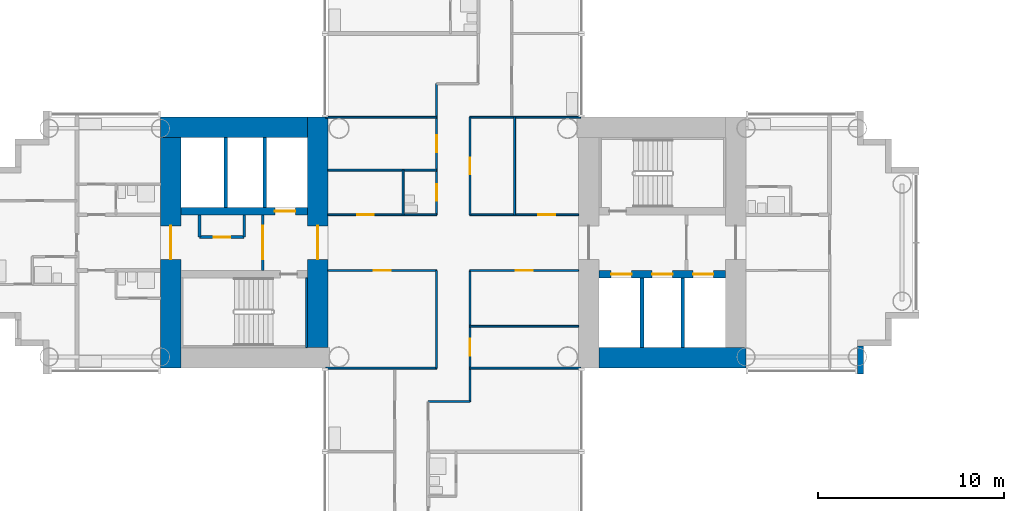
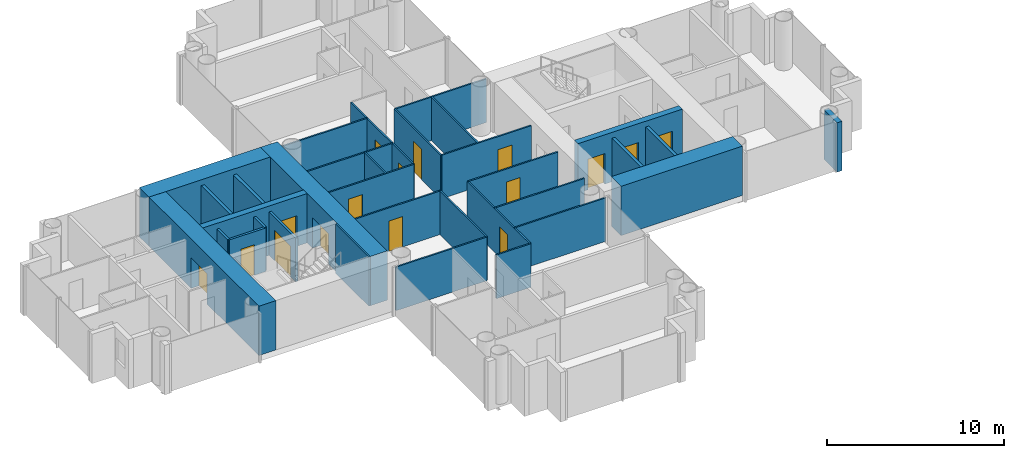
# One storey, part 10 of 22: 33 walls, 16 doors, 16 openings.
"""IFC4 building model written with IfcOpenShell, lengths in metres."""

import ifcopenshell
import ifcopenshell.guid

model = None  # the IFC model being written
_history = None  # IfcOwnerHistory: only IFC2X3 demands one
_inside = {}  # id of a spatial element -> (the spatial element, [elements in it])
_under = {}  # id of a project, library or spatial element -> (it, [spatial elements below it])
_declared = {}  # id of a project -> (the project, [libraries it declares])
_typed = {}  # id of a type object -> (the type object, [elements of that type])
_made_of = {}  # id of a material, layer set ... -> (it, [elements and type objects made of it])


def new_model(schema):
    """Start an empty IFC model of exactly this schema.

    Asked for "IFC4X3", IfcOpenShell would pick the latest addendum, in which some entities
    have other attributes; the version numbers below select the first issue.
    IFC2X3 requires an IfcOwnerHistory on every rooted entity: one is made here for all.
    """
    global model, _history
    if schema == "IFC4X3":
        model = ifcopenshell.file(schema_version=(4, 3, 0, 0))
    else:
        model = ifcopenshell.file(schema=schema)
    _inside.clear()
    _under.clear()
    _declared.clear()
    _typed.clear()
    _made_of.clear()
    _history = None
    if model.schema == "IFC2X3":
        org = make("IfcOrganization", Name="unknown")
        user = make(
            "IfcPersonAndOrganization",
            ThePerson=make("IfcPerson", FamilyName="unknown"),
            TheOrganization=org,
        )
        app = make(
            "IfcApplication",
            ApplicationDeveloper=org,
            Version="unknown",
            ApplicationFullName="unknown",
            ApplicationIdentifier="unknown",
        )
        _history = make(
            "IfcOwnerHistory",
            OwningUser=user,
            OwningApplication=app,
            ChangeAction="ADDED",
            CreationDate=0,
        )
    return model


def make(cls, **values):
    """One entity of the class cls with the attributes given. An attribute that is None is left unset."""
    return model.create_entity(
        cls, **{name: value for name, value in values.items() if value is not None}
    )


def rooted(cls, **values):
    """An entity with a GlobalId (a new one), such as an element, a storey or a relation."""
    return make(cls, GlobalId=ifcopenshell.guid.new(), OwnerHistory=_history, **values)


def si_unit(unit_type, name, prefix=None):
    """IfcSIUnit, for example si_unit("LENGTHUNIT", "METRE", prefix="MILLI")."""
    return make("IfcSIUnit", UnitType=unit_type, Prefix=prefix, Name=name)


def assignment(units):
    """IfcUnitAssignment: the units of a project."""
    return None if units is None else make("IfcUnitAssignment", Units=units)


def point(xyz):
    """IfcCartesianPoint."""
    return None if xyz is None else make("IfcCartesianPoint", Coordinates=xyz)


def direction(xyz):
    """IfcDirection."""
    return None if xyz is None else make("IfcDirection", DirectionRatios=xyz)


def frame(location, z_axis=None, x_axis=None):
    """IfcAxis2Placement3D, a coordinate frame: its origin and axes. An axis left out is left unset."""
    return make(
        "IfcAxis2Placement3D",
        Location=point(location),
        Axis=direction(z_axis),
        RefDirection=direction(x_axis),
    )


def frame_2d(location, x_axis=None):
    """IfcAxis2Placement2D, a coordinate frame in the plane: its origin and x axis."""
    return make(
        "IfcAxis2Placement2D", Location=point(location), RefDirection=direction(x_axis)
    )


def origin():
    """The frame at (0, 0, 0) with its axes left unset."""
    return frame((0.0, 0.0, 0.0))


def place(relative_to, where):
    """IfcLocalPlacement: puts the frame where relative to a parent placement (None: the world)."""
    return make(
        "IfcLocalPlacement", PlacementRelTo=relative_to, RelativePlacement=where
    )


def context(
    kind, dimensions, precision=None, world=None, true_north=None, identifier=None
):
    """IfcGeometricRepresentationContext, for example the 3D "Model" context."""
    return make(
        "IfcGeometricRepresentationContext",
        ContextIdentifier=identifier,
        ContextType=kind,
        CoordinateSpaceDimension=dimensions,
        Precision=precision,
        WorldCoordinateSystem=world,
        TrueNorth=true_north,
    )


def subcontext(parent, identifier, kind, view, scale=None):
    """IfcGeometricRepresentationSubContext, for example "Body" below "Model"."""
    return make(
        "IfcGeometricRepresentationSubContext",
        ContextIdentifier=identifier,
        ContextType=kind,
        ParentContext=parent,
        TargetScale=scale,
        TargetView=view,
    )


def project(units=None, contexts=None):
    """IfcProject with its units and contexts."""
    return rooted(
        "IfcProject",
        Name="project",
        RepresentationContexts=contexts,
        UnitsInContext=assignment(units),
    )


def spatial(cls, under=None, at=None, **own):
    """A site, building, storey or space (cls), placed at a placement, below another one or the project."""
    s = rooted(cls, ObjectPlacement=at, **own)
    if under is not None:
        _under.setdefault(under.id(), (under, []))[1].append(s)
    return s


def profile(cls, at=None, kind="AREA", **sizes):
    """A parametric profile (cls). Its sizes go by their IFC names, for example OverallWidth=200.0."""
    return make(cls, ProfileType=kind, Position=at, **sizes)


def rectangle(**sizes):
    """IfcRectangleProfileDef."""
    return profile("IfcRectangleProfileDef", **sizes)


def extrude(swept, where, along, depth):
    """IfcExtrudedAreaSolid: the profile swept, set in the frame where, extruded along a direction by depth."""
    return make(
        "IfcExtrudedAreaSolid",
        SweptArea=swept,
        Position=where,
        ExtrudedDirection=direction(along),
        Depth=depth,
    )


def shape(context_of_items, identifier, shape_type, items):
    """IfcShapeRepresentation: the items that make up one representation, for example the "Body"."""
    return make(
        "IfcShapeRepresentation",
        ContextOfItems=context_of_items,
        RepresentationIdentifier=identifier,
        RepresentationType=shape_type,
        Items=items,
    )


def material(Name=None, Category=None):
    """IfcMaterial."""
    return make("IfcMaterial", Name=Name, Category=Category)


def layer(
    of_material, thickness, ventilated=None, Name=None, Category=None, Priority=None
):
    """IfcMaterialLayer: one layer of a wall or slab, of a material (None: an air gap)."""
    return make(
        "IfcMaterialLayer",
        Material=of_material,
        LayerThickness=thickness,
        IsVentilated=ventilated,
        Name=Name,
        Category=Category,
        Priority=Priority,
    )


def layer_set(layers, Name=None):
    """IfcMaterialLayerSet."""
    return make("IfcMaterialLayerSet", MaterialLayers=layers, LayerSetName=Name)


def made_of(thing, what):
    """Note that an element or type object is made of a material, layer set ...; save() writes the relation."""
    if what is not None:
        _made_of.setdefault(what.id(), (what, []))[1].append(thing)
    return thing


def type_object(cls, material=None, **own):
    """A type object (cls), such as IfcWallType, which elements share."""
    return made_of(rooted(cls, **own), material)


def element(
    cls,
    number,
    at=None,
    inside=None,
    cuts=None,
    type_object=None,
    material=None,
    context=None,
    identifier="Body",
    shape_type=None,
    held_by="IfcProductDefinitionShape",
    body=None,
    shapes=None,
    **own,
):
    """One element of the class cls, such as IfcWall. Its Tag is "e" and its number.

    at: its placement. inside: the storey or other place that contains it. cuts: it is an
    opening in that element (IfcRelVoidsElement). A single representation is given by context,
    identifier, shape_type and body (its items); several are given by shapes. held_by: the class
    of the entity that holds the representations. save() writes the other relations.
    """
    e = rooted(cls, Tag="e%d" % number, ObjectPlacement=at, **own)
    if body is not None:
        shapes = [shape(context, identifier, shape_type, body)]
    if shapes is not None:
        e.Representation = make(held_by, Representations=shapes)
    if inside is not None:
        _inside.setdefault(inside.id(), (inside, []))[1].append(e)
    if cuts is not None:
        rooted(
            "IfcRelVoidsElement", RelatingBuildingElement=cuts, RelatedOpeningElement=e
        )
    if type_object is not None:
        _typed.setdefault(type_object.id(), (type_object, []))[1].append(e)
    return made_of(e, material)


def fill(opening, filler):
    """IfcRelFillsElement: the door or window that sits in an opening."""
    return rooted(
        "IfcRelFillsElement",
        RelatingOpeningElement=opening,
        RelatedBuildingElement=filler,
    )


def aggregate(whole, parts):
    """IfcRelAggregates: a whole, such as a stair, and the parts it consists of."""
    return rooted("IfcRelAggregates", RelatingObject=whole, RelatedObjects=parts)


def save(model, path):
    """Write the relations noted so far, then the file.

    IfcRelAggregates (storeys below a building ...), IfcRelContainedInSpatialStructure (elements
    in a storey), IfcRelDefinesByType, IfcRelAssociatesMaterial and IfcRelDeclares: one each for
    every whole, place, type object, material and project.
    """
    for whole, parts in _under.values():
        aggregate(whole, parts)
    for where, things in _inside.values():
        rooted(
            "IfcRelContainedInSpatialStructure",
            RelatedElements=things,
            RelatingStructure=where,
        )
    for kind, things in _typed.values():
        rooted("IfcRelDefinesByType", RelatedObjects=things, RelatingType=kind)
    for what, things in _made_of.values():
        rooted("IfcRelAssociatesMaterial", RelatedObjects=things, RelatingMaterial=what)
    for by, libraries in _declared.values():
        rooted("IfcRelDeclares", RelatingContext=by, RelatedDefinitions=libraries)
    model.write(path)


model = new_model("IFC4")

# Units and contexts
model_context = context("Model", 3, precision=1e-05, world=origin(), true_north=direction((0.0, 1.0)))
body_context = subcontext(model_context, "Body", "Model", "MODEL_VIEW")
ifc_project = project(units=[si_unit("LENGTHUNIT", "METRE"), si_unit("AREAUNIT", "SQUARE_METRE"), si_unit("VOLUMEUNIT", "CUBIC_METRE"), si_unit("PLANEANGLEUNIT", "RADIAN"), si_unit("MASSUNIT", "GRAM", prefix="KILO")], contexts=[model_context])

# Site, building, storey
site_placement = place(None, origin())
site = spatial("IfcSite", under=ifc_project, at=site_placement, CompositionType="ELEMENT")
building_placement = place(site_placement, origin())
building = spatial("IfcBuilding", under=site, at=building_placement, Name="Ipe Terrace Towers", CompositionType="ELEMENT")
storey_placement = place(building_placement, frame((0.0, 0.0, 61.89990234375)))
storey = spatial("IfcBuildingStorey", under=building, at=storey_placement, Name="L16", CompositionType="ELEMENT", Elevation=61.89990234375)

# Walls
ifc_material_1 = material(Name="Concrete C40/50 with buff precast cladding", Category="concrete")
ifc_layer_1 = layer(ifc_material_1, 0.320068359375)
ifc_layer_set_1 = layer_set([ifc_layer_1], Name="BUFF CLADDING WALL 320")
wall_type_1 = type_object("IfcWallType", Name="BUFF CLADDING WALL 320", PredefinedType="STANDARD", material=ifc_layer_set_1)
wall_1_placement = place(storey_placement, frame((-14.090087890625, -7.070068359375, -0.2998046875), z_axis=(0.0, 0.0, 1.0), x_axis=(0.0, 1.0, 0.0)))
element("IfcWall", 1, at=wall_1_placement, inside=storey, type_object=wall_type_1, Name="T1-W-L16-21a wall", PredefinedType="STANDARD", context=body_context, shape_type="SweptSolid", body=[
    extrude(rectangle(XDim=1.5, YDim=0.320068359375, at=frame_2d((0.75, 0.0))), origin(), (0.0, 0.0, 1.0), 3.39990234375),
])
ifc_material_2 = material(Name="Gypsum board partition", Category="plasterboard")
ifc_layer_2 = layer(ifc_material_2, 0.10009765625)
ifc_layer_set_2 = layer_set([ifc_layer_2], Name="Gypsum board partition 100 mm")
wall_type_2 = type_object("IfcWallType", Name="Gypsum board partition 100 mm", PredefinedType="PARTITIONING", material=ifc_layer_set_2)
wall_2_placement = place(storey_placement, frame((-38.699951171875, 1.5, 0.0), z_axis=(0.0, 0.0, 1.0), x_axis=(0.0, 1.0, 0.0)))
element("IfcWall", 2, at=wall_2_placement, inside=storey, type_object=wall_type_2, Name="Gypsum board partition T1 L16 W06", PredefinedType="PARTITIONING", context=body_context, shape_type="SweptSolid", body=[
    extrude(rectangle(XDim=2.39990234375, YDim=0.10009765625, at=frame_2d((1.199951171875, 0.0))), origin(), (0.0, 0.0, 1.0), 3.0),
])
wall_3_placement = place(storey_placement, frame((-36.89990234375, -6.75, 0.0), z_axis=(0.0, 0.0, 1.0), x_axis=(0.0, 1.0, 0.0)))
element("IfcWall", 3, at=wall_3_placement, inside=storey, type_object=wall_type_2, Name="Gypsum board partition T1 L16 W09", PredefinedType="PARTITIONING", context=body_context, shape_type="SweptSolid", body=[
    extrude(rectangle(XDim=5.25, YDim=0.10009765625, at=frame_2d((2.625, 0.0))), origin(), (0.0, 0.0, 1.0), 3.0),
])

# Wall, openings, doors
wall_4_placement = place(storey_placement, frame((-36.89990234375, 1.5, 0.0), z_axis=(0.0, 0.0, 1.0), x_axis=(0.0, 1.0, 0.0)))
wall_4 = element("IfcWall", 4, at=wall_4_placement, inside=storey, type_object=wall_type_2, Name="Gypsum board partition T1 L16 W10", PredefinedType="PARTITIONING", context=body_context, shape_type="SweptSolid", body=[
    extrude(rectangle(XDim=7.050048828125, YDim=0.10009765625, at=frame_2d((3.52490234375, 0.0))), origin(), (0.0, 0.0, 1.0), 3.0),
])
opening_1_placement = place(wall_4_placement, frame((0.75, 0.0, 0.0)))
opening_1 = element("IfcOpeningElement", 5, at=opening_1_placement, cuts=wall_4, Name="Opening T1-Z1D-01", PredefinedType="OPENING", context=body_context, shape_type="SweptSolid", body=[
    extrude(rectangle(XDim=0.89990234375, YDim=2.10009765625, at=frame_2d((0.449951171875, 1.050048828125))), frame((0.0, 0.06005859375, 0.0), z_axis=(0.0, -1.0, 0.0), x_axis=(1.0, 0.0, 0.0)), (0.0, 0.0, 1.0), 0.1201171875),
])
opening_2_placement = place(wall_4_placement, frame((3.375, 0.0, 0.0)))
opening_2 = element("IfcOpeningElement", 6, at=opening_2_placement, cuts=wall_4, Name="Opening T1-Z1D-05", PredefinedType="OPENING", context=body_context, shape_type="SweptSolid", body=[
    extrude(rectangle(XDim=0.89990234375, YDim=2.10009765625, at=frame_2d((0.449951171875, 1.050048828125))), frame((0.0, 0.06005859375, 0.0), z_axis=(0.0, -1.0, 0.0), x_axis=(1.0, 0.0, 0.0)), (0.0, 0.0, 1.0), 0.1201171875),
])
ifc_material_3 = material(Name="Timber door leaf", Category="wood")
door_type_1 = type_object("IfcDoorType", Name="Bathroom door 900 x 2100", OperationType="NOTDEFINED", PredefinedType="DOOR", material=ifc_material_3)
door_1_placement = place(opening_1_placement, origin())
door_1 = element("IfcDoor", 7, at=door_1_placement, inside=storey, type_object=door_type_1, Name="Bathroom door T1-Z1D-01", OperationType="SINGLE_SWING_RIGHT", OverallHeight=2.10009765625, OverallWidth=0.89990234375, PredefinedType="DOOR", context=body_context, shape_type="SweptSolid", body=[
    extrude(rectangle(XDim=0.89990234375, YDim=2.10009765625, at=frame_2d((0.449951171875, 1.050048828125))), frame((0.0, 0.02490234375, 0.0), z_axis=(0.0, -1.0, 0.0), x_axis=(1.0, 0.0, 0.0)), (0.0, 0.0, 1.0), 0.050048828125),
])
fill(opening_1, door_1)
ifc_material_4 = material(Name="Timber door leaf", Category="wood")
door_type_2 = type_object("IfcDoorType", Name="Lounge door 900 x 2100", OperationType="NOTDEFINED", PredefinedType="DOOR", material=ifc_material_4)
door_2_placement = place(opening_2_placement, origin())
door_2 = element("IfcDoor", 8, at=door_2_placement, inside=storey, type_object=door_type_2, Name="Lounge door T1-Z1D-05", OperationType="SINGLE_SWING_LEFT", OverallHeight=2.10009765625, OverallWidth=0.89990234375, PredefinedType="DOOR", context=body_context, shape_type="SweptSolid", body=[
    extrude(rectangle(XDim=0.89990234375, YDim=2.10009765625, at=frame_2d((0.449951171875, 1.050048828125))), frame((0.0, 0.02490234375, 0.0), z_axis=(0.0, -1.0, 0.0), x_axis=(1.0, 0.0, 0.0)), (0.0, 0.0, 1.0), 0.050048828125),
])
fill(opening_2, door_2)

# Wall, opening, door
wall_5_placement = place(storey_placement, frame((-35.10009765625, -8.550048828125, 0.0), z_axis=(0.0, 0.0, 1.0), x_axis=(0.0, 1.0, 0.0)))
wall_5 = element("IfcWall", 9, at=wall_5_placement, inside=storey, type_object=wall_type_2, Name="Gypsum board partition T1 L16 W13", PredefinedType="PARTITIONING", context=body_context, shape_type="SweptSolid", body=[
    extrude(rectangle(XDim=7.050048828125, YDim=0.10009765625, at=frame_2d((3.52490234375, 0.0))), origin(), (0.0, 0.0, 1.0), 3.0),
])
opening_3_placement = place(wall_5_placement, frame((2.47509765625, 0.0, 0.0)))
opening_3 = element("IfcOpeningElement", 10, at=opening_3_placement, cuts=wall_5, Name="Opening T1-Z1D-08", PredefinedType="OPENING", context=body_context, shape_type="SweptSolid", body=[
    extrude(rectangle(XDim=0.89990234375, YDim=2.10009765625, at=frame_2d((0.449951171875, 1.050048828125))), frame((0.0, 0.06005859375, 0.0), z_axis=(0.0, -1.0, 0.0), x_axis=(1.0, 0.0, 0.0)), (0.0, 0.0, 1.0), 0.1201171875),
])
door_3_placement = place(opening_3_placement, origin())
door_3 = element("IfcDoor", 11, at=door_3_placement, inside=storey, type_object=door_type_2, Name="Lounge door T1-Z1D-08", OperationType="SINGLE_SWING_LEFT", OverallHeight=2.10009765625, OverallWidth=0.89990234375, PredefinedType="DOOR", context=body_context, shape_type="SweptSolid", body=[
    extrude(rectangle(XDim=0.89990234375, YDim=2.10009765625, at=frame_2d((0.449951171875, 1.050048828125))), frame((0.0, 0.02490234375, 0.0), z_axis=(0.0, -1.0, 0.0), x_axis=(1.0, 0.0, 0.0)), (0.0, 0.0, 1.0), 0.050048828125),
])
fill(opening_3, door_3)

wall_6_placement = place(storey_placement, frame((-35.10009765625, 1.5, 0.0), z_axis=(0.0, 0.0, 1.0), x_axis=(0.0, 1.0, 0.0)))
wall_6 = element("IfcWall", 12, at=wall_6_placement, inside=storey, type_object=wall_type_2, Name="Gypsum board partition T1 L16 W14", PredefinedType="PARTITIONING", context=body_context, shape_type="SweptSolid", body=[
    extrude(rectangle(XDim=5.25, YDim=0.10009765625, at=frame_2d((2.625, 0.0))), origin(), (0.0, 0.0, 1.0), 3.0),
])
opening_4_placement = place(wall_6_placement, frame((2.175048828125, 0.0, 0.0)))
opening_4 = element("IfcOpeningElement", 13, at=opening_4_placement, cuts=wall_6, Name="Opening T1-Z1D-02", PredefinedType="OPENING", context=body_context, shape_type="SweptSolid", body=[
    extrude(rectangle(XDim=0.89990234375, YDim=2.10009765625, at=frame_2d((0.449951171875, 1.050048828125))), frame((0.0, 0.06005859375, 0.0), z_axis=(0.0, -1.0, 0.0), x_axis=(1.0, 0.0, 0.0)), (0.0, 0.0, 1.0), 0.1201171875),
])
door_4_placement = place(opening_4_placement, origin())
door_4 = element("IfcDoor", 14, at=door_4_placement, inside=storey, type_object=door_type_2, Name="Lounge door T1-Z1D-02", OperationType="SINGLE_SWING_RIGHT", OverallHeight=2.10009765625, OverallWidth=0.89990234375, PredefinedType="DOOR", context=body_context, shape_type="SweptSolid", body=[
    extrude(rectangle(XDim=0.89990234375, YDim=2.10009765625, at=frame_2d((0.449951171875, 1.050048828125))), frame((0.0, 0.02490234375, 0.0), z_axis=(0.0, -1.0, 0.0), x_axis=(1.0, 0.0, 0.0)), (0.0, 0.0, 1.0), 0.050048828125),
])
fill(opening_4, door_4)

# Walls
wall_7_placement = place(storey_placement, frame((-32.699951171875, 1.5, 0.0), z_axis=(0.0, 0.0, 1.0), x_axis=(0.0, 1.0, 0.0)))
element("IfcWall", 15, at=wall_7_placement, inside=storey, type_object=wall_type_2, Name="Gypsum board partition T1 L16 W18", PredefinedType="PARTITIONING", context=body_context, shape_type="SweptSolid", body=[
    extrude(rectangle(XDim=5.25, YDim=0.10009765625, at=frame_2d((2.625, 0.0))), origin(), (0.0, 0.0, 1.0), 3.0),
])
wall_8_placement = place(storey_placement, frame((-37.35009765625, -8.550048828125, 0.0), z_axis=(0.0, 0.0, 1.0), x_axis=(1.0, 0.0, 0.0)))
element("IfcWall", 16, at=wall_8_placement, inside=storey, type_object=wall_type_2, Name="Gypsum board partition T1 L16 W27", PredefinedType="PARTITIONING", context=body_context, shape_type="SweptSolid", body=[
    extrude(rectangle(XDim=2.25, YDim=0.10009765625, at=frame_2d((1.125, 0.0))), origin(), (0.0, 0.0, 1.0), 3.0),
])
for number, where, z_axis, x_axis, name in (
    (17, (-42.85009765625, -6.75, 0.0), (0.0, 0.0, 1.0), (1.0, 0.0, 0.0), "Gypsum board partition T1 L16 W28"),
    (18, (-35.10009765625, -6.75, 0.0), (0.0, 0.0, 1.0), (1.0, 0.0, 0.0), "Gypsum board partition T1 L16 W29"),
):
    element("IfcWall", number, at=place(storey_placement, frame(where, z_axis=z_axis, x_axis=x_axis)), inside=storey, type_object=wall_type_2, Name=name, PredefinedType="PARTITIONING", context=body_context, shape_type="SweptSolid", body=[
        extrude(rectangle(XDim=5.9501953125, YDim=0.10009765625, at=frame_2d((2.97509765625, 0.0))), origin(), (0.0, 0.0, 1.0), 3.0),
    ])
wall_9_placement = place(storey_placement, frame((-35.10009765625, -4.5, 0.0), z_axis=(0.0, 0.0, 1.0), x_axis=(1.0, 0.0, 0.0)))
element("IfcWall", 19, at=wall_9_placement, inside=storey, type_object=wall_type_2, Name="Gypsum board partition T1 L16 W30", PredefinedType="PARTITIONING", context=body_context, shape_type="SweptSolid", body=[
    extrude(rectangle(XDim=5.85009765625, YDim=0.10009765625, at=frame_2d((2.925048828125, 0.0))), origin(), (0.0, 0.0, 1.0), 3.0),
])

# Wall, opening, door
wall_10_placement = place(storey_placement, frame((-42.75, -1.5, 0.0), z_axis=(0.0, 0.0, 1.0), x_axis=(1.0, 0.0, 0.0)))
wall_10 = element("IfcWall", 20, at=wall_10_placement, inside=storey, type_object=wall_type_2, Name="Gypsum board partition T1 L16 W33", PredefinedType="PARTITIONING", context=body_context, shape_type="SweptSolid", body=[
    extrude(rectangle(XDim=5.85009765625, YDim=0.10009765625, at=frame_2d((2.925048828125, 0.0))), origin(), (0.0, 0.0, 1.0), 3.0),
])
opening_5_placement = place(wall_10_placement, frame((2.47509765625, 0.0, 0.0)))
opening_5 = element("IfcOpeningElement", 21, at=opening_5_placement, cuts=wall_10, Name="Opening T1-Z1D-06", PredefinedType="OPENING", context=body_context, shape_type="SweptSolid", body=[
    extrude(rectangle(XDim=0.89990234375, YDim=2.10009765625, at=frame_2d((0.449951171875, 1.050048828125))), frame((0.0, 0.06005859375, 0.0), z_axis=(0.0, -1.0, 0.0), x_axis=(1.0, 0.0, 0.0)), (0.0, 0.0, 1.0), 0.1201171875),
])
door_5_placement = place(opening_5_placement, origin())
door_5 = element("IfcDoor", 22, at=door_5_placement, inside=storey, type_object=door_type_2, Name="Lounge door T1-Z1D-06", OperationType="SINGLE_SWING_LEFT", OverallHeight=2.10009765625, OverallWidth=0.89990234375, PredefinedType="DOOR", context=body_context, shape_type="SweptSolid", body=[
    extrude(rectangle(XDim=0.89990234375, YDim=2.10009765625, at=frame_2d((0.449951171875, 1.050048828125))), frame((0.0, 0.02490234375, 0.0), z_axis=(0.0, -1.0, 0.0), x_axis=(1.0, 0.0, 0.0)), (0.0, 0.0, 1.0), 0.050048828125),
])
fill(opening_5, door_5)

wall_11_placement = place(storey_placement, frame((-35.10009765625, -1.5, 0.0), z_axis=(0.0, 0.0, 1.0), x_axis=(1.0, 0.0, 0.0)))
wall_11 = element("IfcWall", 23, at=wall_11_placement, inside=storey, type_object=wall_type_2, Name="Gypsum board partition T1 L16 W34", PredefinedType="PARTITIONING", context=body_context, shape_type="SweptSolid", body=[
    extrude(rectangle(XDim=5.85009765625, YDim=0.10009765625, at=frame_2d((2.925048828125, 0.0))), origin(), (0.0, 0.0, 1.0), 3.0),
])
opening_6_placement = place(wall_11_placement, frame((2.47509765625, 0.0, 0.0)))
opening_6 = element("IfcOpeningElement", 24, at=opening_6_placement, cuts=wall_11, Name="Opening T1-Z1D-07", PredefinedType="OPENING", context=body_context, shape_type="SweptSolid", body=[
    extrude(rectangle(XDim=0.89990234375, YDim=2.10009765625, at=frame_2d((0.449951171875, 1.050048828125))), frame((0.0, 0.06005859375, 0.0), z_axis=(0.0, -1.0, 0.0), x_axis=(1.0, 0.0, 0.0)), (0.0, 0.0, 1.0), 0.1201171875),
])
door_6_placement = place(opening_6_placement, origin())
door_6 = element("IfcDoor", 25, at=door_6_placement, inside=storey, type_object=door_type_2, Name="Lounge door T1-Z1D-07", OperationType="SINGLE_SWING_RIGHT", OverallHeight=2.10009765625, OverallWidth=0.89990234375, PredefinedType="DOOR", context=body_context, shape_type="SweptSolid", body=[
    extrude(rectangle(XDim=0.89990234375, YDim=2.10009765625, at=frame_2d((0.449951171875, 1.050048828125))), frame((0.0, 0.02490234375, 0.0), z_axis=(0.0, -1.0, 0.0), x_axis=(1.0, 0.0, 0.0)), (0.0, 0.0, 1.0), 0.050048828125),
])
fill(opening_6, door_6)

wall_12_placement = place(storey_placement, frame((-42.75, 1.5, 0.0), z_axis=(0.0, 0.0, 1.0), x_axis=(1.0, 0.0, 0.0)))
wall_12 = element("IfcWall", 26, at=wall_12_placement, inside=storey, type_object=wall_type_2, Name="Gypsum board partition T1 L16 W38", PredefinedType="PARTITIONING", context=body_context, shape_type="SweptSolid", body=[
    extrude(rectangle(XDim=5.85009765625, YDim=0.10009765625, at=frame_2d((2.925048828125, 0.0))), origin(), (0.0, 0.0, 1.0), 3.0),
])
opening_7_placement = place(wall_12_placement, frame((1.574951171875, 0.0, 0.0)))
opening_7 = element("IfcOpeningElement", 27, at=opening_7_placement, cuts=wall_12, Name="Opening T1-Z1D-04", PredefinedType="OPENING", context=body_context, shape_type="SweptSolid", body=[
    extrude(rectangle(XDim=0.89990234375, YDim=2.10009765625, at=frame_2d((0.449951171875, 1.050048828125))), frame((0.0, 0.06005859375, 0.0), z_axis=(0.0, -1.0, 0.0), x_axis=(1.0, 0.0, 0.0)), (0.0, 0.0, 1.0), 0.1201171875),
])
door_7_placement = place(opening_7_placement, origin())
door_7 = element("IfcDoor", 28, at=door_7_placement, inside=storey, type_object=door_type_2, Name="Lounge door T1-Z1D-04", OperationType="SINGLE_SWING_RIGHT", OverallHeight=2.10009765625, OverallWidth=0.89990234375, PredefinedType="DOOR", context=body_context, shape_type="SweptSolid", body=[
    extrude(rectangle(XDim=0.89990234375, YDim=2.10009765625, at=frame_2d((0.449951171875, 1.050048828125))), frame((0.0, 0.02490234375, 0.0), z_axis=(0.0, -1.0, 0.0), x_axis=(1.0, 0.0, 0.0)), (0.0, 0.0, 1.0), 0.050048828125),
])
fill(opening_7, door_7)

wall_13_placement = place(storey_placement, frame((-35.10009765625, 1.5, 0.0), z_axis=(0.0, 0.0, 1.0), x_axis=(1.0, 0.0, 0.0)))
wall_13 = element("IfcWall", 29, at=wall_13_placement, inside=storey, type_object=wall_type_2, Name="Gypsum board partition T1 L16 W39", PredefinedType="PARTITIONING", context=body_context, shape_type="SweptSolid", body=[
    extrude(rectangle(XDim=5.85009765625, YDim=0.10009765625, at=frame_2d((2.925048828125, 0.0))), origin(), (0.0, 0.0, 1.0), 3.0),
])
opening_8_placement = place(wall_13_placement, frame((3.675048828125, 0.0, 0.0)))
opening_8 = element("IfcOpeningElement", 30, at=opening_8_placement, cuts=wall_13, Name="Opening T1-Z1D-03", PredefinedType="OPENING", context=body_context, shape_type="SweptSolid", body=[
    extrude(rectangle(XDim=0.89990234375, YDim=2.10009765625, at=frame_2d((0.449951171875, 1.050048828125))), frame((0.0, 0.06005859375, 0.0), z_axis=(0.0, -1.0, 0.0), x_axis=(1.0, 0.0, 0.0)), (0.0, 0.0, 1.0), 0.1201171875),
])
door_8_placement = place(opening_8_placement, origin())
door_8 = element("IfcDoor", 31, at=door_8_placement, inside=storey, type_object=door_type_2, Name="Lounge door T1-Z1D-03", OperationType="SINGLE_SWING_LEFT", OverallHeight=2.10009765625, OverallWidth=0.89990234375, PredefinedType="DOOR", context=body_context, shape_type="SweptSolid", body=[
    extrude(rectangle(XDim=0.89990234375, YDim=2.10009765625, at=frame_2d((0.449951171875, 1.050048828125))), frame((0.0, 0.02490234375, 0.0), z_axis=(0.0, -1.0, 0.0), x_axis=(1.0, 0.0, 0.0)), (0.0, 0.0, 1.0), 0.050048828125),
])
fill(opening_8, door_8)

# Walls
wall_14_placement = place(storey_placement, frame((-42.75, 3.89990234375, 0.0), z_axis=(0.0, 0.0, 1.0), x_axis=(1.0, 0.0, 0.0)))
element("IfcWall", 32, at=wall_14_placement, inside=storey, type_object=wall_type_2, Name="Gypsum board partition T1 L16 W45", PredefinedType="PARTITIONING", context=body_context, shape_type="SweptSolid", body=[
    extrude(rectangle(XDim=5.85009765625, YDim=0.10009765625, at=frame_2d((2.925048828125, 0.0))), origin(), (0.0, 0.0, 1.0), 3.0),
])
for number, where, z_axis, x_axis, name in (
    (33, (-42.85009765625, 6.75, 0.0), (0.0, 0.0, 1.0), (1.0, 0.0, 0.0), "Gypsum board partition T1 L16 W46"),
    (34, (-35.10009765625, 6.75, 0.0), (0.0, 0.0, 1.0), (1.0, 0.0, 0.0), "Gypsum board partition T1 L16 W47"),
):
    element("IfcWall", number, at=place(storey_placement, frame(where, z_axis=z_axis, x_axis=x_axis)), inside=storey, type_object=wall_type_2, Name=name, PredefinedType="PARTITIONING", context=body_context, shape_type="SweptSolid", body=[
        extrude(rectangle(XDim=5.9501953125, YDim=0.10009765625, at=frame_2d((2.97509765625, 0.0))), origin(), (0.0, 0.0, 1.0), 3.0),
    ])

# Wall, opening, door
ifc_material_5 = material(Name="Gypsum board partition", Category="plasterboard")
ifc_layer_3 = layer(ifc_material_5, 0.14990234375)
ifc_layer_set_3 = layer_set([ifc_layer_3], Name="Gypsum board partition 150 mm")
wall_type_3 = type_object("IfcWallType", Name="Gypsum board partition 150 mm", PredefinedType="PARTITIONING", material=ifc_layer_set_3)
wall_15_placement = place(storey_placement, frame((-46.25, 1.5, 0.0), z_axis=(0.0, 0.0, 1.0), x_axis=(0.0, -1.0, 0.0)))
wall_15 = element("IfcWall", 35, at=wall_15_placement, inside=storey, type_object=wall_type_3, Name="Gypsum board partition T1 L16 t1c2-lobby-wall", PredefinedType="PARTITIONING", context=body_context, shape_type="SweptSolid", body=[
    extrude(rectangle(XDim=3.0, YDim=0.14990234375, at=frame_2d((1.5, 0.0))), origin(), (0.0, 0.0, 1.0), 3.0),
])
opening_9_placement = place(wall_15_placement, frame((0.60009765625, 0.0, 0.0)))
opening_9 = element("IfcOpeningElement", 36, at=opening_9_placement, cuts=wall_15, Name="Opening T1C2-VD", PredefinedType="OPENING", context=body_context, shape_type="SweptSolid", body=[
    extrude(rectangle(XDim=1.800048828125, YDim=2.10009765625, at=frame_2d((0.89990234375, 1.050048828125))), frame((0.0, 0.0849609375, 0.0), z_axis=(0.0, -1.0, 0.0), x_axis=(1.0, 0.0, 0.0)), (0.0, 0.0, 1.0), 0.169921875),
])
ifc_material_6 = material(Name="Fire-rated timber door leaf", Category="wood")
door_type_3 = type_object("IfcDoorType", Name="Lobby door 1800 x 2100 FD60", OperationType="NOTDEFINED", PredefinedType="DOOR", material=ifc_material_6)
door_9_placement = place(opening_9_placement, origin())
door_9 = element("IfcDoor", 37, at=door_9_placement, inside=storey, type_object=door_type_3, Name="Lobby door T1C2-VD", OperationType="SINGLE_SWING_LEFT", OverallHeight=2.10009765625, OverallWidth=1.800048828125, PredefinedType="DOOR", context=body_context, shape_type="SweptSolid", body=[
    extrude(rectangle(XDim=1.800048828125, YDim=2.10009765625, at=frame_2d((0.89990234375, 1.050048828125))), frame((0.0, 0.02490234375, 0.0), z_axis=(0.0, -1.0, 0.0), x_axis=(1.0, 0.0, 0.0)), (0.0, 0.0, 1.0), 0.050048828125),
])
fill(opening_9, door_9)

wall_16_placement = place(storey_placement, frame((-47.25, 0.300048828125, 0.0), z_axis=(0.0, 0.0, 1.0), x_axis=(-1.0, 0.0, 0.0)))
wall_16 = element("IfcWall", 38, at=wall_16_placement, inside=storey, type_object=wall_type_3, Name="Gypsum board partition T1 L16 t1c2-cup-s-f", PredefinedType="PARTITIONING", context=body_context, shape_type="SweptSolid", body=[
    extrude(rectangle(XDim=2.39990234375, YDim=0.14990234375, at=frame_2d((1.199951171875, 0.0))), origin(), (0.0, 0.0, 1.0), 3.0),
])
opening_10_placement = place(wall_16_placement, frame((0.75, 0.0, 0.0)))
opening_10 = element("IfcOpeningElement", 39, at=opening_10_placement, cuts=wall_16, Name="Opening T1C2-SC", PredefinedType="OPENING", context=body_context, shape_type="SweptSolid", body=[
    extrude(rectangle(XDim=0.89990234375, YDim=2.10009765625, at=frame_2d((0.449951171875, 1.050048828125))), frame((0.0, 0.0849609375, 0.0), z_axis=(0.0, -1.0, 0.0), x_axis=(1.0, 0.0, 0.0)), (0.0, 0.0, 1.0), 0.169921875),
])
ifc_material_7 = material(Name="Fire-rated timber door leaf", Category="wood")
door_type_4 = type_object("IfcDoorType", Name="Service door 900 x 2100 FD30S", OperationType="NOTDEFINED", PredefinedType="DOOR", material=ifc_material_7)
door_10_placement = place(opening_10_placement, origin())
door_10 = element("IfcDoor", 40, at=door_10_placement, inside=storey, type_object=door_type_4, Name="Service door T1C2-SC", OperationType="SINGLE_SWING_LEFT", OverallHeight=2.10009765625, OverallWidth=0.89990234375, PredefinedType="DOOR", context=body_context, shape_type="SweptSolid", body=[
    extrude(rectangle(XDim=0.89990234375, YDim=2.10009765625, at=frame_2d((0.449951171875, 1.050048828125))), frame((0.0, 0.02490234375, 0.0), z_axis=(0.0, -1.0, 0.0), x_axis=(1.0, 0.0, 0.0)), (0.0, 0.0, 1.0), 0.050048828125),
])
fill(opening_10, door_10)

# Walls
for number, where, z_axis, x_axis, name in (
    (41, (-47.25, 0.300048828125, 0.0), (0.0, 0.0, 1.0), (0.0, 1.0, 0.0), "Gypsum board partition T1 L16 t1c2-cup-s-a"),
    (42, (-49.64990234375, 0.300048828125, 0.0), (0.0, 0.0, 1.0), (0.0, 1.0, 0.0), "Gypsum board partition T1 L16 t1c2-cup-s-b"),
):
    element("IfcWall", number, at=place(storey_placement, frame(where, z_axis=z_axis, x_axis=x_axis)), inside=storey, type_object=wall_type_3, Name=name, PredefinedType="PARTITIONING", context=body_context, shape_type="SweptSolid", body=[
        extrude(rectangle(XDim=1.199951171875, YDim=0.14990234375, at=frame_2d((0.60009765625, 0.0))), origin(), (0.0, 0.0, 1.0), 3.0),
    ])
ifc_material_8 = material(Name="Gypsum board party wall", Category="plasterboard")
ifc_layer_4 = layer(ifc_material_8, 0.199951171875)
ifc_layer_set_4 = layer_set([ifc_layer_4], Name="Gypsum board party wall 200 mm")
wall_type_4 = type_object("IfcWallType", Name="Gypsum board party wall 200 mm", PredefinedType="SOLIDWALL", material=ifc_layer_set_4)
for number, where, z_axis, x_axis, name in (
    (43, (-25.85009765625, -5.64990234375, 0.0), (0.0, 0.0, 1.0), (0.0, 1.0, 0.0), "Gypsum board party wall T1 L16 t1c1-shaft-div1"),
    (44, (-23.64990234375, -5.64990234375, 0.0), (0.0, 0.0, 1.0), (0.0, 1.0, 0.0), "Gypsum board party wall T1 L16 t1c1-shaft-div2"),
    (45, (-46.14990234375, 5.64990234375, 0.0), (0.0, 0.0, 1.0), (0.0, -1.0, 0.0), "Gypsum board party wall T1 L16 t1c2-shaft-div1"),
    (46, (-48.25, 5.64990234375, 0.0), (0.0, 0.0, 1.0), (0.0, -1.0, 0.0), "Gypsum board party wall T1 L16 t1c2-shaft-div2"),
):
    element("IfcWall", number, at=place(storey_placement, frame(where, z_axis=z_axis, x_axis=x_axis)), inside=storey, type_object=wall_type_4, Name=name, PredefinedType="SOLIDWALL", context=body_context, shape_type="SweptSolid", body=[
        extrude(rectangle(XDim=3.75, YDim=0.199951171875, at=frame_2d((1.875, 0.0))), origin(), (0.0, 0.0, 1.0), 3.0),
    ])
ifc_material_9 = material(Name="Concrete C60/75", Category="concrete")
ifc_layer_5 = layer(ifc_material_9, 0.10009765625)
ifc_layer_set_5 = layer_set([ifc_layer_5], Name="RW100 CORE INFILL WALL 100 C60-75")
wall_type_5 = type_object("IfcWallType", Name="RW100 CORE INFILL WALL 100 C60-75", PredefinedType="SHEAR", material=ifc_layer_set_5)
wall_17_placement = place(storey_placement, frame((-43.89990234375, -1.89990234375, 0.0), z_axis=(0.0, 0.0, 1.0), x_axis=(0.0, -1.0, 0.0)))
element("IfcWall", 47, at=wall_17_placement, inside=storey, type_object=wall_type_5, Name="Core infill wall T1-C2-near", PredefinedType="SHEAR", context=body_context, shape_type="SweptSolid", body=[
    extrude(rectangle(XDim=3.75, YDim=0.10009765625, at=frame_2d((1.875, 0.0))), origin(), (0.0, 0.0, 1.0), 3.400146484375),
])
ifc_material_10 = material(Name="Concrete C60/75", Category="concrete")
ifc_layer_6 = layer(ifc_material_10, 1.10009765625)
ifc_layer_set_6 = layer_set([ifc_layer_6], Name="RW1100 CORE WALL 1100 C60-75")
wall_type_6 = type_object("IfcWallType", Name="RW1100 CORE WALL 1100 C60-75", PredefinedType="SHEAR", material=ifc_layer_set_6)
wall_18_placement = place(storey_placement, frame((-28.14990234375, -6.199951171875, 0.0), z_axis=(0.0, 0.0, 1.0), x_axis=(1.0, 0.0, 0.0)))
element("IfcWall", 48, at=wall_18_placement, inside=storey, type_object=wall_type_6, Name="Core wall T1-C1-Z1-W01", PredefinedType="SHEAR", context=body_context, shape_type="SweptSolid", body=[
    extrude(rectangle(XDim=7.89990234375, YDim=1.10009765625, at=frame_2d((3.949951171875, 0.0))), origin(), (0.0, 0.0, 1.0), 3.400146484375),
])

# Wall, opening, door
wall_19_placement = place(storey_placement, frame((-43.300048828125, -5.64990234375, 0.0), z_axis=(0.0, 0.0, 1.0), x_axis=(0.0, 1.0, 0.0)))
wall_19 = element("IfcWall", 49, at=wall_19_placement, inside=storey, type_object=wall_type_6, Name="Core wall T1-C2-Z1-W02", PredefinedType="SHEAR", context=body_context, shape_type="SweptSolid", body=[
    extrude(rectangle(XDim=12.39990234375, YDim=1.10009765625, at=frame_2d((6.199951171875, 0.0))), origin(), (0.0, 0.0, 1.0), 3.400146484375),
])
opening_11_placement = place(wall_19_placement, frame((4.75, 0.0, 0.0)))
opening_11 = element("IfcOpeningElement", 50, at=opening_11_placement, cuts=wall_19, Name="Opening T1C2-ND", PredefinedType="OPENING", context=body_context, shape_type="SweptSolid", body=[
    extrude(rectangle(XDim=1.800048828125, YDim=2.10009765625, at=frame_2d((0.89990234375, 1.050048828125))), frame((0.0, 0.56005859375, 0.0), z_axis=(0.0, -1.0, 0.0), x_axis=(1.0, 0.0, 0.0)), (0.0, 0.0, 1.0), 1.1201171875),
])
ifc_material_11 = material(Name="Fire-rated timber door leaf", Category="wood")
door_type_5 = type_object("IfcDoorType", Name="Fire door 1800 x 2100 FD30S", OperationType="NOTDEFINED", PredefinedType="DOOR", material=ifc_material_11)
door_11_placement = place(opening_11_placement, origin())
door_11 = element("IfcDoor", 51, at=door_11_placement, inside=storey, type_object=door_type_5, Name="Fire door T1C2-ND", OperationType="SINGLE_SWING_LEFT", OverallHeight=2.10009765625, OverallWidth=1.800048828125, PredefinedType="DOOR", context=body_context, shape_type="SweptSolid", body=[
    extrude(rectangle(XDim=1.800048828125, YDim=2.10009765625, at=frame_2d((0.89990234375, 1.050048828125))), frame((0.0, 0.02490234375, 0.0), z_axis=(0.0, -1.0, 0.0), x_axis=(1.0, 0.0, 0.0)), (0.0, 0.0, 1.0), 0.050048828125),
])
fill(opening_11, door_11)

# Wall
wall_20_placement = place(storey_placement, frame((-43.85009765625, 6.199951171875, 0.0), z_axis=(0.0, 0.0, 1.0), x_axis=(-1.0, 0.0, 0.0)))
element("IfcWall", 52, at=wall_20_placement, inside=storey, type_object=wall_type_6, Name="Core wall T1-C2-Z1-W03", PredefinedType="SHEAR", context=body_context, shape_type="SweptSolid", body=[
    extrude(rectangle(XDim=7.89990234375, YDim=1.10009765625, at=frame_2d((3.949951171875, 0.0))), origin(), (0.0, 0.0, 1.0), 3.400146484375),
])

# Wall, opening, door
wall_21_placement = place(storey_placement, frame((-51.199951171875, 5.64990234375, 0.0), z_axis=(0.0, 0.0, 1.0), x_axis=(0.0, -1.0, 0.0)))
wall_21 = element("IfcWall", 53, at=wall_21_placement, inside=storey, type_object=wall_type_6, Name="Core wall T1-C2-Z1-W04", PredefinedType="SHEAR", context=body_context, shape_type="SweptSolid", body=[
    extrude(rectangle(XDim=12.39990234375, YDim=1.10009765625, at=frame_2d((6.199951171875, 0.0))), origin(), (0.0, 0.0, 1.0), 3.400146484375),
])
opening_12_placement = place(wall_21_placement, frame((4.75, 0.0, 0.0)))
opening_12 = element("IfcOpeningElement", 54, at=opening_12_placement, cuts=wall_21, Name="Opening T1C2-FD", PredefinedType="OPENING", context=body_context, shape_type="SweptSolid", body=[
    extrude(rectangle(XDim=1.800048828125, YDim=2.10009765625, at=frame_2d((0.89990234375, 1.050048828125))), frame((0.0, 0.56005859375, 0.0), z_axis=(0.0, -1.0, 0.0), x_axis=(1.0, 0.0, 0.0)), (0.0, 0.0, 1.0), 1.1201171875),
])
door_12_placement = place(opening_12_placement, origin())
door_12 = element("IfcDoor", 55, at=door_12_placement, inside=storey, type_object=door_type_5, Name="Fire door T1C2-FD", OperationType="SINGLE_SWING_LEFT", OverallHeight=2.10009765625, OverallWidth=1.800048828125, PredefinedType="DOOR", context=body_context, shape_type="SweptSolid", body=[
    extrude(rectangle(XDim=1.800048828125, YDim=2.10009765625, at=frame_2d((0.89990234375, 1.050048828125))), frame((0.0, 0.02490234375, 0.0), z_axis=(0.0, -1.0, 0.0), x_axis=(1.0, 0.0, 0.0)), (0.0, 0.0, 1.0), 0.050048828125),
])
fill(opening_12, door_12)

# Wall, openings, doors
ifc_material_12 = material(Name="Concrete C60/75", Category="concrete")
ifc_layer_7 = layer(ifc_material_12, 0.39990234375)
ifc_layer_set_7 = layer_set([ifc_layer_7], Name="RW400 CORE SPINE WALL 400 C60-75")
wall_type_7 = type_object("IfcWallType", Name="RW400 CORE SPINE WALL 400 C60-75", PredefinedType="SHEAR", material=ifc_layer_set_7)
wall_22_placement = place(storey_placement, frame((-28.14990234375, -1.699951171875, 0.0), z_axis=(0.0, 0.0, 1.0), x_axis=(1.0, 0.0, 0.0)))
wall_22 = element("IfcWall", 56, at=wall_22_placement, inside=storey, type_object=wall_type_7, Name="Core spine wall T1-C1-Z1-SW1", PredefinedType="SHEAR", context=body_context, shape_type="SweptSolid", body=[
    extrude(rectangle(XDim=6.7998046875, YDim=0.39990234375, at=frame_2d((3.39990234375, 0.0))), origin(), (0.0, 0.0, 1.0), 3.400146484375),
])
opening_13_placement = place(wall_22_placement, frame((0.64990234375, 0.0, 0.0)))
opening_13 = element("IfcOpeningElement", 57, at=opening_13_placement, cuts=wall_22, Name="Opening T1C1-LD1", PredefinedType="OPENING", context=body_context, shape_type="SweptSolid", body=[
    extrude(rectangle(XDim=1.10009765625, YDim=2.10009765625, at=frame_2d((0.550048828125, 1.050048828125))), frame((0.0, 0.2099609375, 0.0), z_axis=(0.0, -1.0, 0.0), x_axis=(1.0, 0.0, 0.0)), (0.0, 0.0, 1.0), 0.419921875),
])
opening_14_placement = place(wall_22_placement, frame((2.85009765625, 0.0, 0.0)))
opening_14 = element("IfcOpeningElement", 58, at=opening_14_placement, cuts=wall_22, Name="Opening T1C1-LD2", PredefinedType="OPENING", context=body_context, shape_type="SweptSolid", body=[
    extrude(rectangle(XDim=1.10009765625, YDim=2.10009765625, at=frame_2d((0.550048828125, 1.050048828125))), frame((0.0, 0.2099609375, 0.0), z_axis=(0.0, -1.0, 0.0), x_axis=(1.0, 0.0, 0.0)), (0.0, 0.0, 1.0), 0.419921875),
])
opening_15_placement = place(wall_22_placement, frame((5.050048828125, 0.0, 0.0)))
opening_15 = element("IfcOpeningElement", 59, at=opening_15_placement, cuts=wall_22, Name="Opening T1C1-LD3", PredefinedType="OPENING", context=body_context, shape_type="SweptSolid", body=[
    extrude(rectangle(XDim=1.10009765625, YDim=2.10009765625, at=frame_2d((0.550048828125, 1.050048828125))), frame((0.0, 0.2099609375, 0.0), z_axis=(0.0, -1.0, 0.0), x_axis=(1.0, 0.0, 0.0)), (0.0, 0.0, 1.0), 0.419921875),
])
ifc_material_13 = material(Name="Fire-rated timber door leaf", Category="wood")
door_type_6 = type_object("IfcDoorType", Name="Sliding door 1100 x 2100 FD60", OperationType="SLIDING_TO_LEFT", PredefinedType="DOOR", material=ifc_material_13)
door_13_placement = place(opening_13_placement, origin())
door_13 = element("IfcDoor", 60, at=door_13_placement, inside=storey, type_object=door_type_6, Name="Sliding door T1C1-LD1", OperationType="SLIDING_TO_LEFT", OverallHeight=2.10009765625, OverallWidth=1.10009765625, PredefinedType="DOOR", context=body_context, shape_type="SweptSolid", body=[
    extrude(rectangle(XDim=1.10009765625, YDim=2.10009765625, at=frame_2d((0.550048828125, 1.050048828125))), frame((0.0, 0.02490234375, 0.0), z_axis=(0.0, -1.0, 0.0), x_axis=(1.0, 0.0, 0.0)), (0.0, 0.0, 1.0), 0.050048828125),
])
fill(opening_13, door_13)
door_14_placement = place(opening_14_placement, origin())
door_14 = element("IfcDoor", 61, at=door_14_placement, inside=storey, type_object=door_type_6, Name="Sliding door T1C1-LD2", OperationType="SLIDING_TO_LEFT", OverallHeight=2.10009765625, OverallWidth=1.10009765625, PredefinedType="DOOR", context=body_context, shape_type="SweptSolid", body=[
    extrude(rectangle(XDim=1.10009765625, YDim=2.10009765625, at=frame_2d((0.550048828125, 1.050048828125))), frame((0.0, 0.02490234375, 0.0), z_axis=(0.0, -1.0, 0.0), x_axis=(1.0, 0.0, 0.0)), (0.0, 0.0, 1.0), 0.050048828125),
])
fill(opening_14, door_14)
door_15_placement = place(opening_15_placement, origin())
door_15 = element("IfcDoor", 62, at=door_15_placement, inside=storey, type_object=door_type_6, Name="Sliding door T1C1-LD3", OperationType="SLIDING_TO_LEFT", OverallHeight=2.10009765625, OverallWidth=1.10009765625, PredefinedType="DOOR", context=body_context, shape_type="SweptSolid", body=[
    extrude(rectangle(XDim=1.10009765625, YDim=2.10009765625, at=frame_2d((0.550048828125, 1.050048828125))), frame((0.0, 0.02490234375, 0.0), z_axis=(0.0, -1.0, 0.0), x_axis=(1.0, 0.0, 0.0)), (0.0, 0.0, 1.0), 0.050048828125),
])
fill(opening_15, door_15)

# Wall, opening, door
wall_23_placement = place(storey_placement, frame((-50.64990234375, 1.699951171875, 0.0), z_axis=(0.0, 0.0, 1.0), x_axis=(1.0, 0.0, 0.0)))
wall_23 = element("IfcWall", 63, at=wall_23_placement, inside=storey, type_object=wall_type_7, Name="Core spine wall T1-C2-Z1-SW2", PredefinedType="SHEAR", context=body_context, shape_type="SweptSolid", body=[
    extrude(rectangle(XDim=6.7998046875, YDim=0.39990234375, at=frame_2d((3.39990234375, 0.0))), origin(), (0.0, 0.0, 1.0), 3.400146484375),
])
opening_16_placement = place(wall_23_placement, frame((5.050048828125, 0.0, 0.0)))
opening_16 = element("IfcOpeningElement", 64, at=opening_16_placement, cuts=wall_23, Name="Opening T1C2-LD1", PredefinedType="OPENING", context=body_context, shape_type="SweptSolid", body=[
    extrude(rectangle(XDim=1.10009765625, YDim=2.10009765625, at=frame_2d((0.550048828125, 1.050048828125))), frame((0.0, 0.2099609375, 0.0), z_axis=(0.0, -1.0, 0.0), x_axis=(1.0, 0.0, 0.0)), (0.0, 0.0, 1.0), 0.419921875),
])
door_16_placement = place(opening_16_placement, origin())
door_16 = element("IfcDoor", 65, at=door_16_placement, inside=storey, type_object=door_type_6, Name="Sliding door T1C2-LD1", OperationType="SLIDING_TO_LEFT", OverallHeight=2.10009765625, OverallWidth=1.10009765625, PredefinedType="DOOR", context=body_context, shape_type="SweptSolid", body=[
    extrude(rectangle(XDim=1.10009765625, YDim=2.10009765625, at=frame_2d((0.550048828125, 1.050048828125))), frame((0.0, 0.02490234375, 0.0), z_axis=(0.0, -1.0, 0.0), x_axis=(1.0, 0.0, 0.0)), (0.0, 0.0, 1.0), 0.050048828125),
])
fill(opening_16, door_16)

save(model, "model.ifc")
